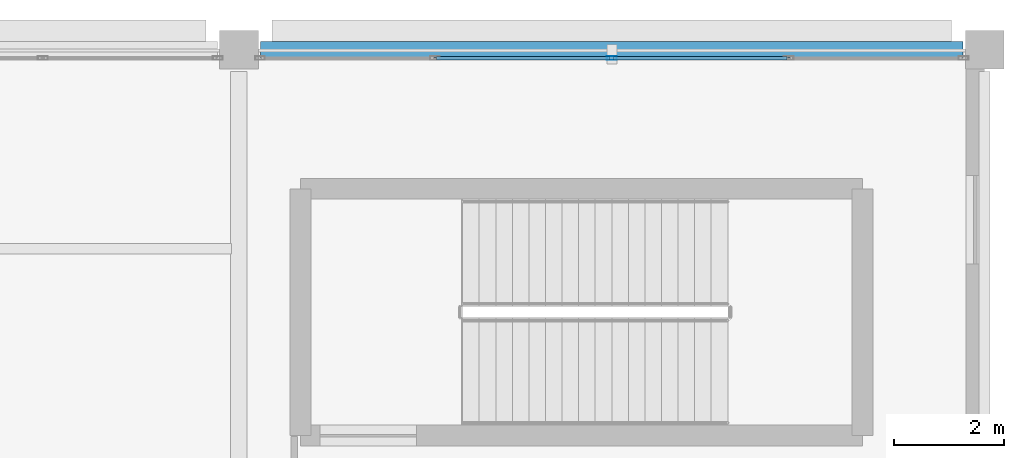
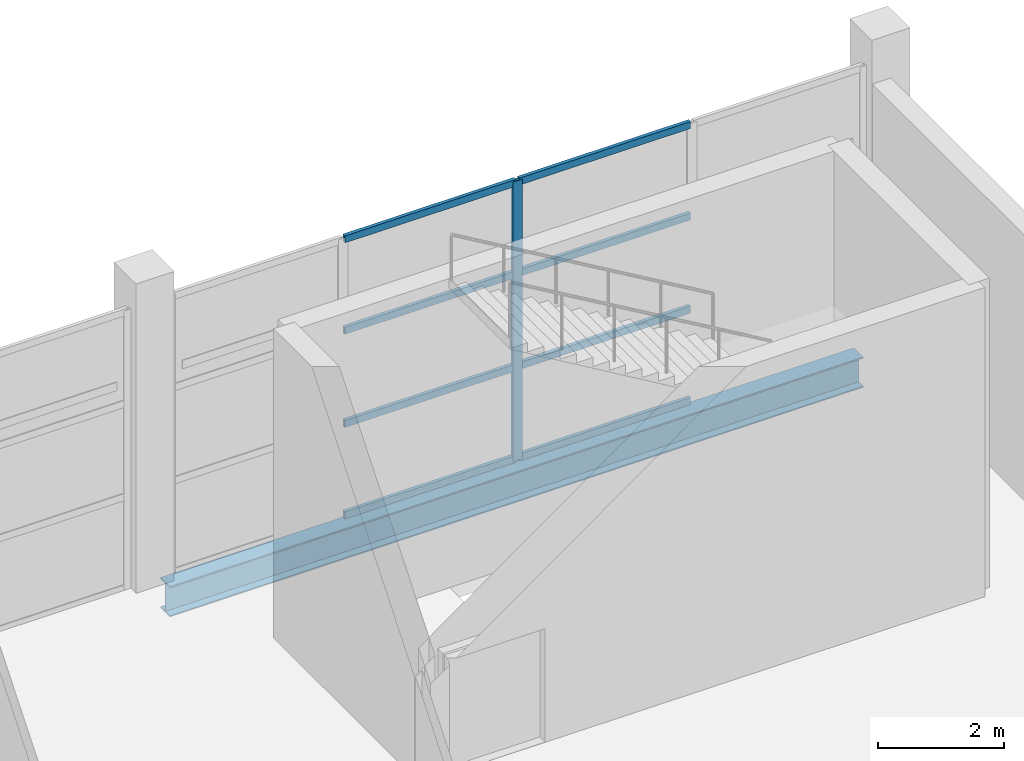
# One storey, part 146 of 191: 9 members, 1 beam, 1 element without a shape of its own.
"""IFC4 building model written with IfcOpenShell, lengths in metres."""

from ifc_helpers import new_model, si_unit, direction, frame, origin, origin_2d, place, context, subcontext, project, spatial, hollow_rectangle, i_section, extrude, material, layer, layer_set, material_profile, profile_set, type_object, element, aggregate, save


model = new_model("IFC4")

# Units and contexts
model_context = context("Model", 3, precision=1e-05, world=origin(), true_north=direction((0.0, 1.0)))
body_context = subcontext(model_context, "Body", "Model", "MODEL_VIEW")
ifc_project = project(units=[si_unit("LENGTHUNIT", "METRE"), si_unit("AREAUNIT", "SQUARE_METRE"), si_unit("VOLUMEUNIT", "CUBIC_METRE"), si_unit("PLANEANGLEUNIT", "RADIAN"), si_unit("MASSUNIT", "GRAM", prefix="KILO")], contexts=[model_context])

# Site, building, storey
site_placement = place(None, origin())
site = spatial("IfcSite", under=ifc_project, at=site_placement, CompositionType="ELEMENT")
building_placement = place(site_placement, origin())
building = spatial("IfcBuilding", under=site, at=building_placement, Name="Tamarisk Ironworks Central Station", CompositionType="ELEMENT")
storey_placement = place(building_placement, frame((0.0, 0.0, 6.60009765625)))
storey = spatial("IfcBuildingStorey", under=building, at=storey_placement, Name="L01", CompositionType="ELEMENT", Elevation=6.60009765625)

# Beam
ifc_material_1 = material(Name="Structural steel S355J2", Category="steel")
ifc_material_profile_1 = material_profile(ifc_material_1, i_section(OverallWidth=0.300048828125, OverallDepth=0.590087890625, WebThickness=0.012939453125, FlangeThickness=0.02490234375, at=origin_2d()), Name="HEA 600")
ifc_profile_set_1 = profile_set([ifc_material_profile_1], Name="Structural steel S355J2")
beam_type = type_object("IfcBeamType", Name="BM-G03", PredefinedType="BEAM", material=ifc_profile_set_1)
beam_placement = place(storey_placement, frame((166.887939453125, 122.39990234375, -0.545166015625), z_axis=(1.0, 0.0, 0.0), x_axis=(0.0, 1.0, 0.0)))
element("IfcBeam", 1, at=beam_placement, inside=storey, type_object=beam_type, Name="L01 primary girder X-0152", PredefinedType="BEAM", context=body_context, shape_type="SweptSolid", body=[
    extrude(i_section(OverallWidth=0.300048828125, OverallDepth=0.590087890625, WebThickness=0.012939453125, FlangeThickness=0.02490234375, at=origin_2d()), origin(), (0.0, 0.0, 1.0), 12.72412109375),
])

# Curtain wall, members
ifc_material_2 = material(Name="Anodized aluminium alloy 6063-T6", Category="aluminium")
ifc_layer = layer(ifc_material_2, 0.179931640625)
ifc_layer_set = layer_set([ifc_layer], Name="Anodized aluminium alloy 6063-T6")
curtain_wall_type = type_object("IfcCurtainWallType", Name="CW-16", PredefinedType="USERDEFINED", material=ifc_layer_set)
curtain_wall_placement = place(storey_placement, origin())
curtain_wall = element("IfcCurtainWall", 2, at=curtain_wall_placement, inside=storey, type_object=curtain_wall_type, Name="Operations L01 north facade curtain wall 166", ObjectType="GLAZED CURTAIN WALL", PredefinedType="USERDEFINED")
ifc_material_profile_2 = material_profile(ifc_material_2, hollow_rectangle(XDim=0.06494140625, YDim=0.179931640625, WallThickness=0.00390625, at=origin_2d()), Name="ALUM 180x65")
ifc_profile_set_2 = profile_set([ifc_material_profile_2], Name="Anodized aluminium alloy 6063-T6")
member_type_1 = type_object("IfcMemberType", Name="CWM-02", PredefinedType="MULLION", material=ifc_profile_set_2)
member_1_placement = place(storey_placement, frame((173.25, 122.25, 0.0), z_axis=(0.0, 0.0, 1.0), x_axis=(0.0, 1.0, 0.0)))
member_1 = element("IfcMember", 3, at=member_1_placement, type_object=member_type_1, Name="CW16 mullion 3", PredefinedType="MULLION", context=body_context, shape_type="SweptSolid", body=[
    extrude(hollow_rectangle(XDim=0.06494140625, YDim=0.179931640625, WallThickness=0.00390625, at=origin_2d()), origin(), (0.0, 0.0, 1.0), 5.419921875),
])
ifc_material_profile_3 = material_profile(ifc_material_2, hollow_rectangle(XDim=0.06494140625, YDim=0.135009765625, WallThickness=0.00341796875, at=origin_2d()), Name="ALUM 135x65")
ifc_profile_set_3 = profile_set([ifc_material_profile_3], Name="Anodized aluminium alloy 6063-T6")
member_type_2 = type_object("IfcMemberType", Name="CWT-02", PredefinedType="USERDEFINED", material=ifc_profile_set_3)
member_2_placement = place(storey_placement, frame((170.077392578125, 122.25, 0.032470703125), z_axis=(1.0, 0.0, 0.0), x_axis=(0.0, 1.0, 0.0)))
member_2 = element("IfcMember", 4, at=member_2_placement, type_object=member_type_2, Name="CW16 transom 2.1", ObjectType="TRANSOM", PredefinedType="USERDEFINED", context=body_context, shape_type="SweptSolid", body=[
    extrude(hollow_rectangle(XDim=0.06494140625, YDim=0.135009765625, WallThickness=0.00341796875, at=origin_2d()), origin(), (0.0, 0.0, 1.0), 3.14404296875),
])
member_3_placement = place(storey_placement, frame((170.077392578125, 122.25, 1.806640625), z_axis=(1.0, 0.0, 0.0), x_axis=(0.0, 1.0, 0.0)))
member_3 = element("IfcMember", 5, at=member_3_placement, type_object=member_type_2, Name="CW16 transom 2.2", ObjectType="TRANSOM", PredefinedType="USERDEFINED", context=body_context, shape_type="SweptSolid", body=[
    extrude(hollow_rectangle(XDim=0.06494140625, YDim=0.135009765625, WallThickness=0.00341796875, at=origin_2d()), origin(), (0.0, 0.0, 1.0), 3.14404296875),
])
member_4_placement = place(storey_placement, frame((170.077392578125, 122.25, 3.61328125), z_axis=(1.0, 0.0, 0.0), x_axis=(0.0, 1.0, 0.0)))
member_4 = element("IfcMember", 6, at=member_4_placement, type_object=member_type_2, Name="CW16 transom 2.3", ObjectType="TRANSOM", PredefinedType="USERDEFINED", context=body_context, shape_type="SweptSolid", body=[
    extrude(hollow_rectangle(XDim=0.06494140625, YDim=0.135009765625, WallThickness=0.00341796875, at=origin_2d()), origin(), (0.0, 0.0, 1.0), 3.14404296875),
])
member_5_placement = place(storey_placement, frame((170.077392578125, 122.25, 5.387451171875), z_axis=(1.0, 0.0, 0.0), x_axis=(0.0, 1.0, 0.0)))
member_5 = element("IfcMember", 7, at=member_5_placement, type_object=member_type_2, Name="CW16 transom 2.4", ObjectType="TRANSOM", PredefinedType="USERDEFINED", context=body_context, shape_type="SweptSolid", body=[
    extrude(hollow_rectangle(XDim=0.06494140625, YDim=0.135009765625, WallThickness=0.00341796875, at=origin_2d()), origin(), (0.0, 0.0, 1.0), 3.14404296875),
])
member_6_placement = place(storey_placement, frame((173.278564453125, 122.25, 0.032470703125), z_axis=(1.0, 0.0, 0.0), x_axis=(0.0, 1.0, 0.0)))
member_6 = element("IfcMember", 8, at=member_6_placement, type_object=member_type_2, Name="CW16 transom 3.1", ObjectType="TRANSOM", PredefinedType="USERDEFINED", context=body_context, shape_type="SweptSolid", body=[
    extrude(hollow_rectangle(XDim=0.06494140625, YDim=0.135009765625, WallThickness=0.00341796875, at=origin_2d()), origin(), (0.0, 0.0, 1.0), 3.14404296875),
])
member_7_placement = place(storey_placement, frame((173.278564453125, 122.25, 1.806640625), z_axis=(1.0, 0.0, 0.0), x_axis=(0.0, 1.0, 0.0)))
member_7 = element("IfcMember", 9, at=member_7_placement, type_object=member_type_2, Name="CW16 transom 3.2", ObjectType="TRANSOM", PredefinedType="USERDEFINED", context=body_context, shape_type="SweptSolid", body=[
    extrude(hollow_rectangle(XDim=0.06494140625, YDim=0.135009765625, WallThickness=0.00341796875, at=origin_2d()), origin(), (0.0, 0.0, 1.0), 3.14404296875),
])
member_8_placement = place(storey_placement, frame((173.278564453125, 122.25, 3.61328125), z_axis=(1.0, 0.0, 0.0), x_axis=(0.0, 1.0, 0.0)))
member_8 = element("IfcMember", 10, at=member_8_placement, type_object=member_type_2, Name="CW16 transom 3.3", ObjectType="TRANSOM", PredefinedType="USERDEFINED", context=body_context, shape_type="SweptSolid", body=[
    extrude(hollow_rectangle(XDim=0.06494140625, YDim=0.135009765625, WallThickness=0.00341796875, at=origin_2d()), origin(), (0.0, 0.0, 1.0), 3.14404296875),
])
member_9_placement = place(storey_placement, frame((173.278564453125, 122.25, 5.387451171875), z_axis=(1.0, 0.0, 0.0), x_axis=(0.0, 1.0, 0.0)))
member_9 = element("IfcMember", 11, at=member_9_placement, type_object=member_type_2, Name="CW16 transom 3.4", ObjectType="TRANSOM", PredefinedType="USERDEFINED", context=body_context, shape_type="SweptSolid", body=[
    extrude(hollow_rectangle(XDim=0.06494140625, YDim=0.135009765625, WallThickness=0.00341796875, at=origin_2d()), origin(), (0.0, 0.0, 1.0), 3.14404296875),
])
aggregate(curtain_wall, [member_1, member_2, member_3, member_4, member_5, member_6, member_7, member_8, member_9])

save(model, "model.ifc")
